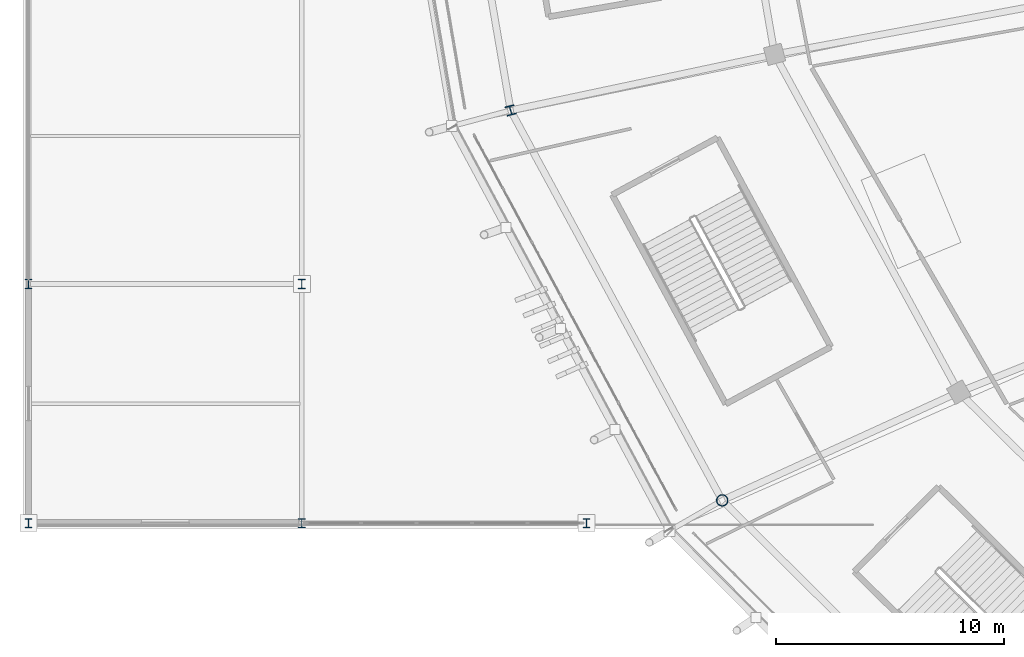
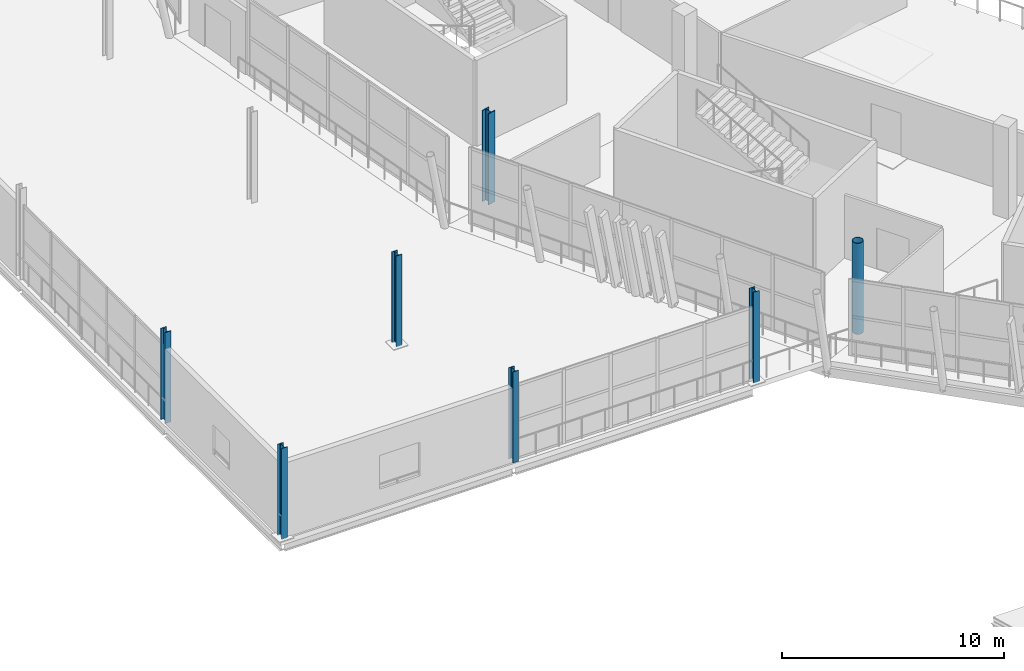
# One storey, part 2 of 179: 7 columns.
"""IFC4 building model written with IfcOpenShell, lengths in metres."""

from ifc_helpers import new_model, si_unit, direction, frame, origin, origin_2d, place, context, subcontext, project, spatial, hollow_circle, i_section, extrude, material, material_profile, profile_set, type_object, element, save


model = new_model("IFC4")

# Units and contexts
model_context = context("Model", 3, precision=1e-05, world=origin(), true_north=direction((0.0, 1.0)))
body_context = subcontext(model_context, "Body", "Model", "MODEL_VIEW")
ifc_project = project(units=[si_unit("LENGTHUNIT", "METRE"), si_unit("AREAUNIT", "SQUARE_METRE"), si_unit("VOLUMEUNIT", "CUBIC_METRE"), si_unit("PLANEANGLEUNIT", "RADIAN"), si_unit("MASSUNIT", "GRAM", prefix="KILO")], contexts=[model_context])

# Site, building, storey
site_placement = place(None, origin())
site = spatial("IfcSite", under=ifc_project, at=site_placement, CompositionType="ELEMENT")
building_placement = place(site_placement, origin())
building = spatial("IfcBuilding", under=site, at=building_placement, Name="Zlatoyarsky Gate Stadium", CompositionType="ELEMENT")
storey_placement = place(building_placement, frame((0.0, 0.0, 10.60009765625)))
storey = spatial("IfcBuildingStorey", under=building, at=storey_placement, Name="L02", CompositionType="ELEMENT", Elevation=10.60009765625)

# Columns
ifc_material = material(Name="Steel S355", Category="steel")
ifc_material_profile_1 = material_profile(ifc_material, i_section(OverallWidth=0.300048828125, OverallDepth=0.39990234375, WebThickness=0.013427734375, FlangeThickness=0.02392578125, FilletRadius=0.027099609375, at=origin_2d()), Name="HEB 400")
ifc_profile_set_1 = profile_set([ifc_material_profile_1], Name="Steel S355")
column_type_1 = type_object("IfcColumnType", Name="STEEL COLUMN HEB 400", PredefinedType="COLUMN", material=ifc_profile_set_1)
for number, where, z_axis, x_axis, name in (
    (1, (0.0, 43.5, 0.0), (0.0, 0.0, 1.0), (1.0, 0.0, 0.0), "Column ST-C400 WG-1-E on L02"),
    (2, (0.0, 54.0, 0.0), (0.0, 0.0, 1.0), (1.0, 0.0, 0.0), "Column ST-C400 WG-1-F on L02"),
    (3, (12.0, 43.5, 0.0), (0.0, 0.0, 1.0), (1.0, 0.0, 0.0), "Column ST-C400 WG-2-E on L02"),
    (4, (12.0, 54.0, 0.0), (0.0, 0.0, 1.0), (1.0, 0.0, 0.0), "Column ST-C400 WG-2-F on L02"),
    (5, (24.5, 43.5, 0.0), (0.0, 0.0, 1.0), (1.0, 0.0, 0.0), "Column ST-C400 WG-3-E on L02"),
):
    element("IfcColumn", number, at=place(storey_placement, frame(where, z_axis=z_axis, x_axis=x_axis)), inside=storey, type_object=column_type_1, Name=name, PredefinedType="COLUMN", context=body_context, shape_type="SweptSolid", body=[
        extrude(i_section(OverallWidth=0.300048828125, OverallDepth=0.39990234375, WebThickness=0.013427734375, FlangeThickness=0.02392578125, FilletRadius=0.027099609375, at=origin_2d()), origin(), (0.0, 0.0, 1.0), 5.0),
    ])
ifc_material_profile_2 = material_profile(ifc_material, i_section(OverallWidth=0.406005859375, OverallDepth=0.416015625, WebThickness=0.02392578125, FlangeThickness=0.0390625, FilletRadius=0.014892578125, at=origin_2d()), Name="HD 400X382")
ifc_profile_set_2 = profile_set([ifc_material_profile_2], Name="Steel S355")
column_type_2 = type_object("IfcColumnType", Name="STEEL PORTAL PILASTER HD 400X382", PredefinedType="PILASTER", material=ifc_profile_set_2)
column_1_placement = place(storey_placement, frame((21.1689453125, 61.623779296875, 0.0), z_axis=(0.0, 0.0, 1.0), x_axis=(-0.965925826289, -0.258819045103, 0.0)))
element("IfcColumn", 6, at=column_1_placement, inside=storey, type_object=column_type_2, Name="Column ST-CHD RC-13 on L02", PredefinedType="PILASTER", context=body_context, shape_type="SweptSolid", body=[
    extrude(i_section(OverallWidth=0.406005859375, OverallDepth=0.416015625, WebThickness=0.02392578125, FlangeThickness=0.0390625, FilletRadius=0.014892578125, at=origin_2d()), origin(), (0.0, 0.0, 1.0), 5.0),
])
ifc_material_profile_3 = material_profile(ifc_material, hollow_circle(Radius=0.25390625, WallThickness=0.02490234375, at=origin_2d()), Name="CHS 508X25")
ifc_profile_set_3 = profile_set([ifc_material_profile_3], Name="Steel S355")
column_type_3 = type_object("IfcColumnType", Name="STEEL TUBULAR COLUMN CHS 508X25", PredefinedType="COLUMN", material=ifc_profile_set_3)
column_2_placement = place(storey_placement, frame((30.459716796875, 44.5, 0.0), z_axis=(0.0, 0.0, 1.0), x_axis=(-0.866025403784, -0.5, 0.0)))
element("IfcColumn", 7, at=column_2_placement, inside=storey, type_object=column_type_3, Name="Column ST-C508 RC-14 on L02", PredefinedType="COLUMN", context=body_context, shape_type="SweptSolid", body=[
    extrude(hollow_circle(Radius=0.25390625, WallThickness=0.02490234375, at=origin_2d()), origin(), (0.0, 0.0, 1.0), 5.0),
])

save(model, "model.ifc")
